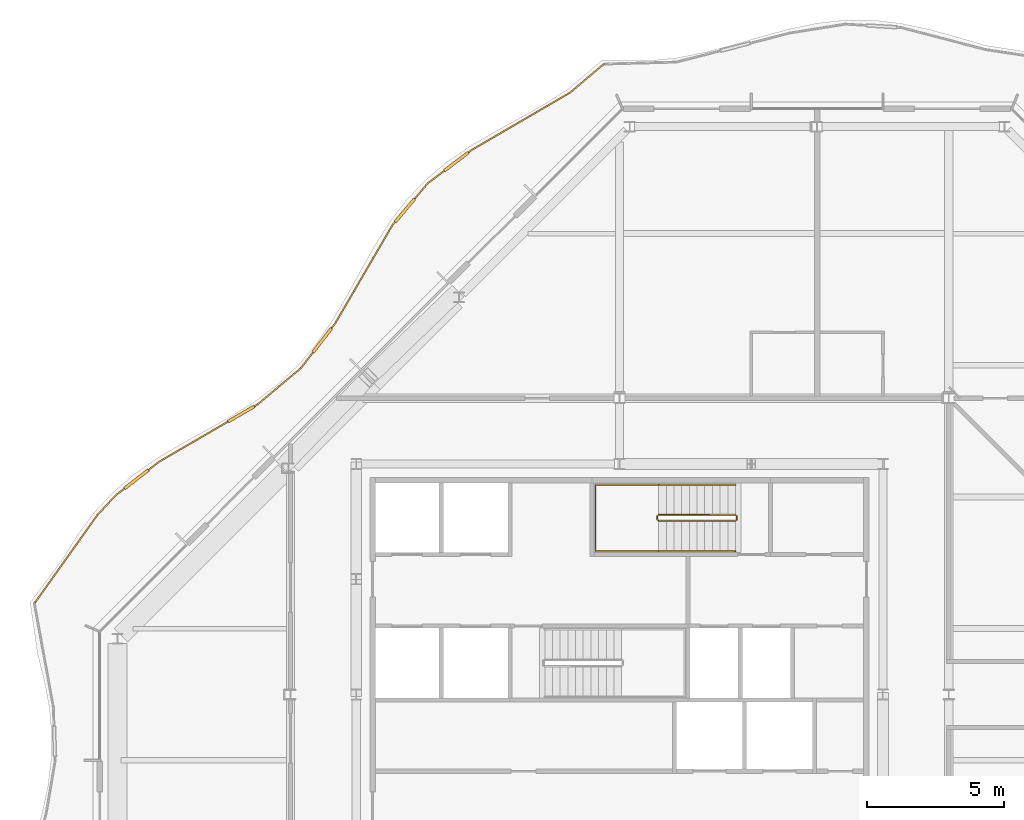
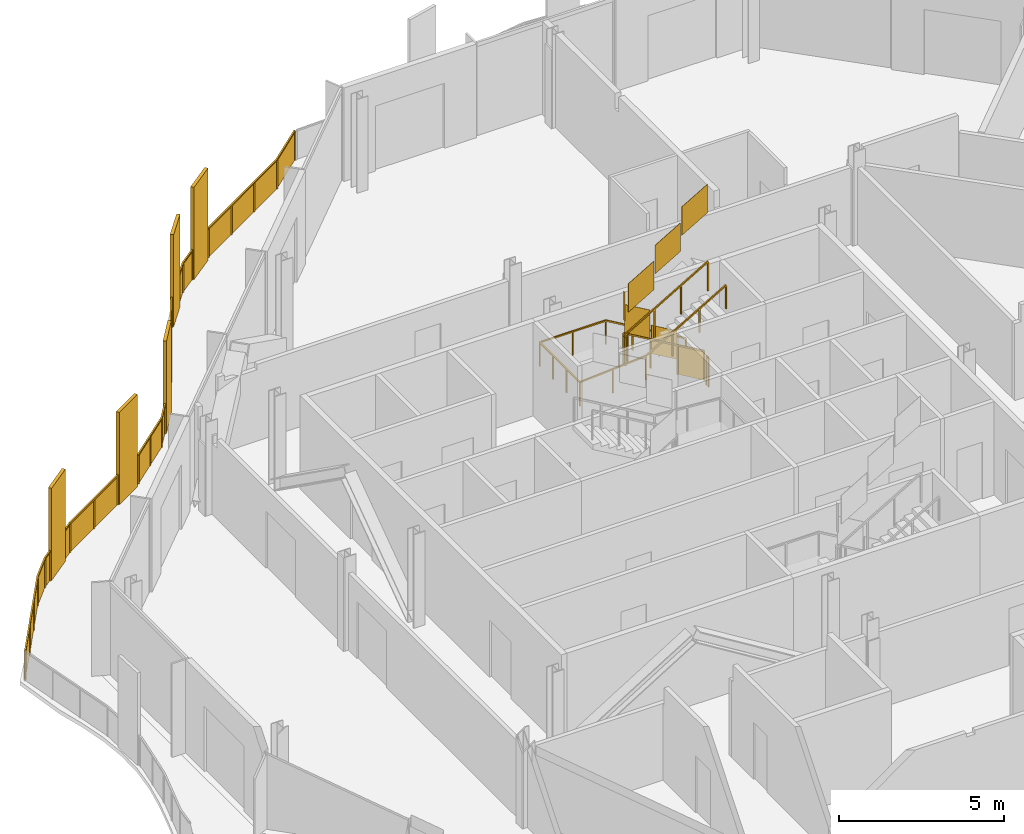
# One storey, part 16 of 17: 4 railings.
"""IFC4 building model written with IfcOpenShell, lengths in metres."""

from ifc_helpers import new_model, si_unit, direction, frame, origin, origin_2d, place, context, subcontext, project, spatial, polyline, rectangle, outline, extrude, material, type_object, element, save


model = new_model("IFC4")

# Units and contexts
model_context = context("Model", 3, precision=1e-05, world=origin(), true_north=direction((0.0, 1.0)))
body_context = subcontext(model_context, "Body", "Model", "MODEL_VIEW")
ifc_project = project(units=[si_unit("LENGTHUNIT", "METRE"), si_unit("AREAUNIT", "SQUARE_METRE"), si_unit("VOLUMEUNIT", "CUBIC_METRE"), si_unit("PLANEANGLEUNIT", "RADIAN"), si_unit("MASSUNIT", "GRAM", prefix="KILO")], contexts=[model_context])

# Site, building, storey
site_placement = place(None, origin())
site = spatial("IfcSite", under=ifc_project, at=site_placement, CompositionType="ELEMENT")
building_placement = place(site_placement, origin())
building = spatial("IfcBuilding", under=site, at=building_placement, Name="Cairn Pilgrim Tower", CompositionType="ELEMENT")
storey_placement = place(building_placement, frame((0.0, 0.0, 281.39990234375)))
storey = spatial("IfcBuildingStorey", under=building, at=storey_placement, Name="L72", CompositionType="ELEMENT", Elevation=281.39990234375)

# Railings
ifc_material_1 = material(Name="Bronze anodised aluminium rail, posts and fin screens with laminated glass infill", Category="aluminium")
railing_type_1 = type_object("IfcRailingType", Name="BALCONY GUARD WITH FIN SCREENS", PredefinedType="GUARDRAIL", material=ifc_material_1)
railing_1_placement = place(storey_placement, frame((6.623779296875, 25.380126953125, 0.0)))
element("IfcRailing", 1, at=railing_1_placement, inside=storey, type_object=railing_type_1, Name="Balcony guard BGF-6 with fin screens", PredefinedType="GUARDRAIL", context=body_context, shape_type="SweptSolid", body=[
    extrude(rectangle(XDim=0.050048828125, YDim=0.050048828125, at=origin_2d()), frame((0.0, 0.0, 1.0751953125), z_axis=(-0.762618286398, -0.646848783915, 0.0), x_axis=(0.646848783915, -0.762618286398, 0.0)), (0.0, 0.0, 1.0), 1.604736328125),
    extrude(rectangle(XDim=0.050048828125, YDim=0.050048828125, at=origin_2d()), frame((-1.223876953125, -1.0380859375, 1.0751953125), z_axis=(-0.863836312854, -0.503772592143, 0.0), x_axis=(0.503772592143, -0.863836312854, 0.0)), (0.0, 0.0, 1.0), 4.163818359375),
    extrude(rectangle(XDim=1.10009765625, YDim=0.110107421875, at=origin_2d()), frame((-5.3779296875, -3.559326171875, 0.0), z_axis=(0.0, 0.0, 1.0), x_axis=(-0.796080027647, -0.605191366083, 0.0)), (0.0, 0.0, 1.0), 3.39990234375),
    extrude(rectangle(XDim=0.050048828125, YDim=0.050048828125, at=origin_2d()), frame((-4.82080078125, -3.1357421875, 1.0751953125), z_axis=(-0.796080027647, -0.605191366083, 0.0), x_axis=(0.605191366083, -0.796080027647, 0.0)), (0.0, 0.0, 1.0), 0.14990234375),
    extrude(rectangle(XDim=0.050048828125, YDim=0.050048828125, at=origin_2d()), frame((-5.81591796875, -3.89208984375, 1.0751953125), z_axis=(-0.796080027647, -0.605191366083, 0.0), x_axis=(0.605191366083, -0.796080027647, 0.0)), (0.0, 0.0, 1.0), 0.75439453125),
    extrude(rectangle(XDim=1.10009765625, YDim=0.110107421875, at=origin_2d()), frame((-7.248779296875, -5.33251953125, 0.0), z_axis=(0.0, 0.0, 1.0), x_axis=(-0.645925733167, -0.763400253623, 0.0)), (0.0, 0.0, 1.0), 3.39990234375),
    extrude(rectangle(XDim=0.050048828125, YDim=0.050048828125, at=origin_2d()), frame((-6.416259765625, -4.3486328125, 1.0751953125), z_axis=(-0.645925733167, -0.763400253623, 0.0), x_axis=(0.763400253623, -0.645925733167, 0.0)), (0.0, 0.0, 1.0), 0.73876953125),
    extrude(rectangle(XDim=0.050048828125, YDim=0.050048828125, at=origin_2d()), frame((-7.60400390625, -5.752197265625, 1.0751953125), z_axis=(-0.645925733167, -0.763400253623, 0.0), x_axis=(0.763400253623, -0.645925733167, 0.0)), (0.0, 0.0, 1.0), 0.150146484375),
    extrude(rectangle(XDim=0.050048828125, YDim=0.050048828125, at=origin_2d()), frame((-7.700927734375, -5.866943359375, 1.0751953125), z_axis=(-0.50337061676, -0.864070611804, 0.0), x_axis=(0.864070611804, -0.50337061676, 0.0)), (0.0, 0.0, 1.0), 4.156494140625),
    extrude(rectangle(XDim=1.10009765625, YDim=0.110107421875, at=origin_2d()), frame((-10.262939453125, -10.070556640625, 0.0), z_axis=(0.0, 0.0, 1.0), x_axis=(-0.608728349799, -0.793378721766, 0.0)), (0.0, 0.0, 1.0), 3.39990234375),
    extrude(rectangle(XDim=0.050048828125, YDim=0.050048828125, at=origin_2d()), frame((-9.793212890625, -9.45849609375, 1.0751953125), z_axis=(-0.608728349799, -0.793378721766, 0.0), x_axis=(0.793378721766, -0.608728349799, 0.0)), (0.0, 0.0, 1.0), 0.221435546875),
    extrude(rectangle(XDim=0.050048828125, YDim=0.050048828125, at=origin_2d()), frame((-10.59765625, -10.5068359375, 1.0751953125), z_axis=(-0.608728349799, -0.793378721766, 0.0), x_axis=(0.793378721766, -0.608728349799, 0.0)), (0.0, 0.0, 1.0), 0.733154296875),
    extrude(rectangle(XDim=0.050048828125, YDim=0.050048828125, at=origin_2d()), frame((-11.0439453125, -11.088623046875, 1.0751953125), z_axis=(-0.766518895618, -0.642221755051, 0.0), x_axis=(0.642221755051, -0.766518895618, 0.0)), (0.0, 0.0, 1.0), 2.048583984375),
    extrude(rectangle(XDim=1.10009765625, YDim=0.110107421875, at=origin_2d()), frame((-13.218994140625, -12.75634765625, 0.0), z_axis=(0.0, 0.0, 1.0), x_axis=(-0.864242189334, -0.503075976543, 0.0)), (0.0, 0.0, 1.0), 3.39990234375),
    extrude(rectangle(XDim=0.050048828125, YDim=0.050048828125, at=origin_2d()), frame((-12.6142578125, -12.404296875, 1.0751953125), z_axis=(-0.864242189334, -0.503075976543, 0.0), x_axis=(0.503075976543, -0.864242189334, 0.0)), (0.0, 0.0, 1.0), 0.14990234375),
    extrude(rectangle(XDim=0.050048828125, YDim=0.050048828125, at=origin_2d()), frame((-13.6943359375, -13.032958984375, 1.0751953125), z_axis=(-0.864242189334, -0.503075976543, 0.0), x_axis=(0.503075976543, -0.864242189334, 0.0)), (0.0, 0.0, 1.0), 2.91357421875),
    extrude(rectangle(XDim=1.10009765625, YDim=0.110107421875, at=origin_2d()), frame((-17.034912109375, -15.1357421875, 0.0), z_axis=(0.0, 0.0, 1.0), x_axis=(-0.790641953267, -0.612278777792, 0.0)), (0.0, 0.0, 1.0), 3.39990234375),
    extrude(rectangle(XDim=0.050048828125, YDim=0.050048828125, at=origin_2d()), frame((-16.21240234375, -14.498779296875, 1.0751953125), z_axis=(-0.790641953267, -0.612278777792, 0.0), x_axis=(0.612278777792, -0.790641953267, 0.0)), (0.0, 0.0, 1.0), 0.490234375),
    extrude(rectangle(XDim=0.050048828125, YDim=0.050048828125, at=origin_2d()), frame((-17.4697265625, -15.472412109375, 1.0751953125), z_axis=(-0.790641953267, -0.612278777792, 0.0), x_axis=(0.612278777792, -0.790641953267, 0.0)), (0.0, 0.0, 1.0), 0.414794921875),
    extrude(rectangle(XDim=0.050048828125, YDim=0.050048828125, at=origin_2d()), frame((-17.7978515625, -15.7265625, 1.0751953125), z_axis=(-0.679165621885, -0.733985053015, 0.0), x_axis=(0.733985053015, -0.679165621885, 0.0)), (0.0, 0.0, 1.0), 0.984130859375),
    extrude(rectangle(XDim=0.050048828125, YDim=0.050048828125, at=origin_2d()), frame((-18.46630859375, -16.448974609375, 1.0751953125), z_axis=(-0.579907284582, -0.814682478816, 0.0), x_axis=(0.814682478816, -0.579907284582, 0.0)), (0.0, 0.0, 1.0), 3.88916015625),
    extrude(rectangle(XDim=0.050048828125, YDim=0.050048828125, at=origin_2d()), origin(), (0.0, 0.0, 1.0), 1.050048828125),
    extrude(rectangle(XDim=0.050048828125, YDim=0.050048828125, at=origin_2d()), frame((-1.223876953125, -1.0380859375, 0.0)), (0.0, 0.0, 1.0), 1.050048828125),
    extrude(rectangle(XDim=0.050048828125, YDim=0.050048828125, at=origin_2d()), frame((-2.4228515625, -1.7373046875, 0.0)), (0.0, 0.0, 1.0), 1.050048828125),
    extrude(rectangle(XDim=0.050048828125, YDim=0.050048828125, at=origin_2d()), frame((-3.621826171875, -2.4365234375, 0.0)), (0.0, 0.0, 1.0), 1.050048828125),
    extrude(rectangle(XDim=0.050048828125, YDim=0.050048828125, at=origin_2d()), frame((-4.82080078125, -3.1357421875, 0.0)), (0.0, 0.0, 1.0), 1.050048828125),
    extrude(rectangle(XDim=0.050048828125, YDim=0.050048828125, at=origin_2d()), frame((-4.920166015625, -3.211181640625, 0.0)), (0.0, 0.0, 1.0), 1.050048828125),
    extrude(rectangle(XDim=0.050048828125, YDim=0.050048828125, at=origin_2d()), frame((-5.835693359375, -3.9072265625, 0.0)), (0.0, 0.0, 1.0), 1.050048828125),
    extrude(rectangle(XDim=0.050048828125, YDim=0.050048828125, at=origin_2d()), frame((-6.416259765625, -4.3486328125, 0.0)), (0.0, 0.0, 1.0), 1.050048828125),
    extrude(rectangle(XDim=0.050048828125, YDim=0.050048828125, at=origin_2d()), frame((-6.877197265625, -4.8935546875, 0.0)), (0.0, 0.0, 1.0), 1.050048828125),
    extrude(rectangle(XDim=0.050048828125, YDim=0.050048828125, at=origin_2d()), frame((-7.6201171875, -5.771484375, 0.0)), (0.0, 0.0, 1.0), 1.050048828125),
    extrude(rectangle(XDim=0.050048828125, YDim=0.050048828125, at=origin_2d()), frame((-7.700927734375, -5.866943359375, 0.0)), (0.0, 0.0, 1.0), 1.050048828125),
    extrude(rectangle(XDim=0.050048828125, YDim=0.050048828125, at=origin_2d()), frame((-8.3984375, -7.064208984375, 0.0)), (0.0, 0.0, 1.0), 1.050048828125),
    extrude(rectangle(XDim=0.050048828125, YDim=0.050048828125, at=origin_2d()), frame((-9.095703125, -8.26123046875, 0.0)), (0.0, 0.0, 1.0), 1.050048828125),
    extrude(rectangle(XDim=0.050048828125, YDim=0.050048828125, at=origin_2d()), frame((-9.793212890625, -9.45849609375, 0.0)), (0.0, 0.0, 1.0), 1.050048828125),
    extrude(rectangle(XDim=0.050048828125, YDim=0.050048828125, at=origin_2d()), frame((-9.912841796875, -9.6142578125, 0.0)), (0.0, 0.0, 1.0), 1.050048828125),
    extrude(rectangle(XDim=0.050048828125, YDim=0.050048828125, at=origin_2d()), frame((-10.61279296875, -10.52685546875, 0.0)), (0.0, 0.0, 1.0), 1.050048828125),
    extrude(rectangle(XDim=0.050048828125, YDim=0.050048828125, at=origin_2d()), frame((-11.0439453125, -11.088623046875, 0.0)), (0.0, 0.0, 1.0), 1.050048828125),
    extrude(rectangle(XDim=0.050048828125, YDim=0.050048828125, at=origin_2d()), frame((-11.8291015625, -11.74658203125, 0.0)), (0.0, 0.0, 1.0), 1.050048828125),
    extrude(rectangle(XDim=0.050048828125, YDim=0.050048828125, at=origin_2d()), frame((-12.6142578125, -12.404296875, 0.0)), (0.0, 0.0, 1.0), 1.050048828125),
    extrude(rectangle(XDim=0.050048828125, YDim=0.050048828125, at=origin_2d()), frame((-12.72216796875, -12.467041015625, 0.0)), (0.0, 0.0, 1.0), 1.050048828125),
    extrude(rectangle(XDim=0.050048828125, YDim=0.050048828125, at=origin_2d()), frame((-13.716064453125, -13.045654296875, 0.0)), (0.0, 0.0, 1.0), 1.050048828125),
    extrude(rectangle(XDim=0.050048828125, YDim=0.050048828125, at=origin_2d()), frame((-14.964111328125, -13.772216796875, 0.0)), (0.0, 0.0, 1.0), 1.050048828125),
    extrude(rectangle(XDim=0.050048828125, YDim=0.050048828125, at=origin_2d()), frame((-16.21240234375, -14.498779296875, 0.0)), (0.0, 0.0, 1.0), 1.050048828125),
    extrude(rectangle(XDim=0.050048828125, YDim=0.050048828125, at=origin_2d()), frame((-16.580322265625, -14.78369140625, 0.0)), (0.0, 0.0, 1.0), 1.050048828125),
    extrude(rectangle(XDim=0.050048828125, YDim=0.050048828125, at=origin_2d()), frame((-17.489501953125, -15.48779296875, 0.0)), (0.0, 0.0, 1.0), 1.050048828125),
    extrude(rectangle(XDim=0.050048828125, YDim=0.050048828125, at=origin_2d()), frame((-17.7978515625, -15.7265625, 0.0)), (0.0, 0.0, 1.0), 1.050048828125),
    extrude(rectangle(XDim=0.050048828125, YDim=0.050048828125, at=origin_2d()), frame((-18.46630859375, -16.448974609375, 0.0)), (0.0, 0.0, 1.0), 1.050048828125),
    extrude(rectangle(XDim=0.050048828125, YDim=0.050048828125, at=origin_2d()), frame((-19.218017578125, -17.505126953125, 0.0)), (0.0, 0.0, 1.0), 1.050048828125),
    extrude(rectangle(XDim=0.050048828125, YDim=0.050048828125, at=origin_2d()), frame((-19.969970703125, -18.561279296875, 0.0)), (0.0, 0.0, 1.0), 1.050048828125),
    extrude(rectangle(XDim=0.050048828125, YDim=0.050048828125, at=origin_2d()), frame((-20.7216796875, -19.617431640625, 0.0)), (0.0, 0.0, 1.0), 1.050048828125),
    extrude(outline(polyline([(0.02490234375, 0.0), (1.579833984375, 0.0), (1.579833984375, 1.050048828125), (0.02490234375, 1.050048828125), (0.02490234375, 0.0)])), frame((0.00390625, -0.004638671875, 0.0), z_axis=(-0.646848783915, 0.762618286398, 0.0), x_axis=(-0.762618286398, -0.646848783915, 0.0)), (0.0, 0.0, 1.0), 0.011962890625),
    extrude(outline(polyline([(0.02490234375, 0.0), (1.363037109375, 0.0), (1.363037109375, 1.050048828125), (0.02490234375, 1.050048828125), (0.02490234375, 0.0)])), frame((-1.220947265625, -1.043212890625, 0.0), z_axis=(-0.503772592143, 0.863836312854, 0.0), x_axis=(-0.863836312854, -0.503772592143, 0.0)), (0.0, 0.0, 1.0), 0.011962890625),
    extrude(outline(polyline([(0.02490234375, 0.0), (1.363037109375, 0.0), (1.363037109375, 1.050048828125), (0.02490234375, 1.050048828125), (0.02490234375, 0.0)])), frame((-2.419921875, -1.742431640625, 0.0), z_axis=(-0.503772592143, 0.863836312854, 0.0), x_axis=(-0.863836312854, -0.503772592143, 0.0)), (0.0, 0.0, 1.0), 0.011962890625),
    extrude(outline(polyline([(0.02490234375, 0.0), (1.363037109375, 0.0), (1.363037109375, 1.050048828125), (0.02490234375, 1.050048828125), (0.02490234375, 0.0)])), frame((-3.618896484375, -2.441650390625, 0.0), z_axis=(-0.503772592143, 0.863836312854, 0.0), x_axis=(-0.863836312854, -0.503772592143, 0.0)), (0.0, 0.0, 1.0), 0.011962890625),
    extrude(outline(polyline([(0.02490234375, 0.0), (0.099853515625, 0.0), (0.099853515625, 1.050048828125), (0.02490234375, 1.050048828125), (0.02490234375, 0.0)])), frame((-4.817138671875, -3.140625, 0.0), z_axis=(-0.605191366083, 0.796080027647, 0.0), x_axis=(-0.796080027647, -0.605191366083, 0.0)), (0.0, 0.0, 1.0), 0.011962890625),
    extrude(outline(polyline([(0.02490234375, 0.0), (0.704345703125, 0.0), (0.704345703125, 1.050048828125), (0.02490234375, 1.050048828125), (0.02490234375, 0.0)])), frame((-5.83203125, -3.912109375, 0.0), z_axis=(-0.605191366083, 0.796080027647, 0.0), x_axis=(-0.796080027647, -0.605191366083, 0.0)), (0.0, 0.0, 1.0), 0.011962890625),
    extrude(outline(polyline([(0.02490234375, 0.0), (0.688720703125, 0.0), (0.688720703125, 1.050048828125), (0.02490234375, 1.050048828125), (0.02490234375, 0.0)])), frame((-6.41162109375, -4.3525390625, 0.0), z_axis=(-0.763400253623, 0.645925733167, 0.0), x_axis=(-0.645925733167, -0.763400253623, 0.0)), (0.0, 0.0, 1.0), 0.011962890625),
    extrude(outline(polyline([(0.02490234375, 0.0), (0.10009765625, 0.0), (0.10009765625, 1.050048828125), (0.02490234375, 1.050048828125), (0.02490234375, 0.0)])), frame((-7.615478515625, -5.775390625, 0.0), z_axis=(-0.763400253623, 0.645925733167, 0.0), x_axis=(-0.645925733167, -0.763400253623, 0.0)), (0.0, 0.0, 1.0), 0.011962890625),
    extrude(outline(polyline([(0.02490234375, 0.0), (1.360595703125, 0.0), (1.360595703125, 1.050048828125), (0.02490234375, 1.050048828125), (0.02490234375, 0.0)])), frame((-7.69580078125, -5.869873046875, 0.0), z_axis=(-0.864070611804, 0.50337061676, 0.0), x_axis=(-0.50337061676, -0.864070611804, 0.0)), (0.0, 0.0, 1.0), 0.011962890625),
    extrude(outline(polyline([(0.02490234375, 0.0), (1.360595703125, 0.0), (1.360595703125, 1.050048828125), (0.02490234375, 1.050048828125), (0.02490234375, 0.0)])), frame((-8.39306640625, -7.067138671875, 0.0), z_axis=(-0.864070611804, 0.50337061676, 0.0), x_axis=(-0.50337061676, -0.864070611804, 0.0)), (0.0, 0.0, 1.0), 0.011962890625),
    extrude(outline(polyline([(0.02490234375, 0.0), (1.360595703125, 0.0), (1.360595703125, 1.050048828125), (0.02490234375, 1.050048828125), (0.02490234375, 0.0)])), frame((-9.090576171875, -8.264404296875, 0.0), z_axis=(-0.864070611804, 0.50337061676, 0.0), x_axis=(-0.50337061676, -0.864070611804, 0.0)), (0.0, 0.0, 1.0), 0.011962890625),
    extrude(outline(polyline([(0.02490234375, 0.0), (0.17138671875, 0.0), (0.17138671875, 1.050048828125), (0.02490234375, 1.050048828125), (0.02490234375, 0.0)])), frame((-9.78857421875, -9.462158203125, 0.0), z_axis=(-0.793378721766, 0.608728349799, 0.0), x_axis=(-0.608728349799, -0.793378721766, 0.0)), (0.0, 0.0, 1.0), 0.011962890625),
    extrude(outline(polyline([(0.02490234375, 0.0), (0.68310546875, 0.0), (0.68310546875, 1.050048828125), (0.02490234375, 1.050048828125), (0.02490234375, 0.0)])), frame((-10.608154296875, -10.530517578125, 0.0), z_axis=(-0.793378721766, 0.608728349799, 0.0), x_axis=(-0.608728349799, -0.793378721766, 0.0)), (0.0, 0.0, 1.0), 0.011962890625),
    extrude(outline(polyline([(0.02490234375, 0.0), (0.999267578125, 0.0), (0.999267578125, 1.050048828125), (0.02490234375, 1.050048828125), (0.02490234375, 0.0)])), frame((-11.0400390625, -11.09326171875, 0.0), z_axis=(-0.642221755051, 0.766518895618, 0.0), x_axis=(-0.766518895618, -0.642221755051, 0.0)), (0.0, 0.0, 1.0), 0.011962890625),
    extrude(outline(polyline([(0.02490234375, 0.0), (0.999267578125, 0.0), (0.999267578125, 1.050048828125), (0.02490234375, 1.050048828125), (0.02490234375, 0.0)])), frame((-11.8251953125, -11.7509765625, 0.0), z_axis=(-0.642221755051, 0.766518895618, 0.0), x_axis=(-0.766518895618, -0.642221755051, 0.0)), (0.0, 0.0, 1.0), 0.011962890625),
    extrude(outline(polyline([(0.02490234375, 0.0), (0.099853515625, 0.0), (0.099853515625, 1.050048828125), (0.02490234375, 1.050048828125), (0.02490234375, 0.0)])), frame((-12.611328125, -12.409423828125, 0.0), z_axis=(-0.503075976543, 0.864242189334, 0.0), x_axis=(-0.864242189334, -0.503075976543, 0.0)), (0.0, 0.0, 1.0), 0.011962890625),
    extrude(outline(polyline([(0.02490234375, 0.0), (1.419189453125, 0.0), (1.419189453125, 1.050048828125), (0.02490234375, 1.050048828125), (0.02490234375, 0.0)])), frame((-13.712890625, -13.05078125, 0.0), z_axis=(-0.503075976543, 0.864242189334, 0.0), x_axis=(-0.864242189334, -0.503075976543, 0.0)), (0.0, 0.0, 1.0), 0.011962890625),
    extrude(outline(polyline([(0.02490234375, 0.0), (1.419189453125, 0.0), (1.419189453125, 1.050048828125), (0.02490234375, 1.050048828125), (0.02490234375, 0.0)])), frame((-14.961181640625, -13.77734375, 0.0), z_axis=(-0.503075976543, 0.864242189334, 0.0), x_axis=(-0.864242189334, -0.503075976543, 0.0)), (0.0, 0.0, 1.0), 0.011962890625),
    extrude(outline(polyline([(0.02490234375, 0.0), (0.440185546875, 0.0), (0.440185546875, 1.050048828125), (0.02490234375, 1.050048828125), (0.02490234375, 0.0)])), frame((-16.208740234375, -14.50341796875, 0.0), z_axis=(-0.612278777792, 0.790641953267, 0.0), x_axis=(-0.790641953267, -0.612278777792, 0.0)), (0.0, 0.0, 1.0), 0.011962890625),
    extrude(outline(polyline([(0.02490234375, 0.0), (0.36474609375, 0.0), (0.36474609375, 1.050048828125), (0.02490234375, 1.050048828125), (0.02490234375, 0.0)])), frame((-17.48583984375, -15.49267578125, 0.0), z_axis=(-0.612278777792, 0.790641953267, 0.0), x_axis=(-0.790641953267, -0.612278777792, 0.0)), (0.0, 0.0, 1.0), 0.011962890625),
    extrude(outline(polyline([(0.02490234375, 0.0), (0.959228515625, 0.0), (0.959228515625, 1.050048828125), (0.02490234375, 1.050048828125), (0.02490234375, 0.0)])), frame((-17.79345703125, -15.730712890625, 0.0), z_axis=(-0.733985053015, 0.679165621885, 0.0), x_axis=(-0.679165621885, -0.733985053015, 0.0)), (0.0, 0.0, 1.0), 0.011962890625),
    extrude(outline(polyline([(0.02490234375, 0.0), (1.271484375, 0.0), (1.271484375, 1.050048828125), (0.02490234375, 1.050048828125), (0.02490234375, 0.0)])), frame((-18.46142578125, -16.452392578125, 0.0), z_axis=(-0.814682478816, 0.579907284582, 0.0), x_axis=(-0.579907284582, -0.814682478816, 0.0)), (0.0, 0.0, 1.0), 0.011962890625),
    extrude(outline(polyline([(0.02490234375, 0.0), (1.271484375, 0.0), (1.271484375, 1.050048828125), (0.02490234375, 1.050048828125), (0.02490234375, 0.0)])), frame((-19.213134765625, -17.508544921875, 0.0), z_axis=(-0.814682478816, 0.579907284582, 0.0), x_axis=(-0.579907284582, -0.814682478816, 0.0)), (0.0, 0.0, 1.0), 0.011962890625),
    extrude(outline(polyline([(0.02490234375, 0.0), (1.271484375, 0.0), (1.271484375, 1.050048828125), (0.02490234375, 1.050048828125), (0.02490234375, 0.0)])), frame((-19.965087890625, -18.564697265625, 0.0), z_axis=(-0.814682478816, 0.579907284582, 0.0), x_axis=(-0.579907284582, -0.814682478816, 0.0)), (0.0, 0.0, 1.0), 0.011962890625),
])
ifc_material_2 = material(Name="Painted steel", Category="steel")
railing_type_2 = type_object("IfcRailingType", Name="STAIR GUARD 1100", PredefinedType="GUARDRAIL", material=ifc_material_2)
railing_2_placement = place(storey_placement, frame((11.425048828125, 8.949951171875, 0.163818359375)))
element("IfcRailing", 2, at=railing_2_placement, inside=storey, type_object=railing_type_2, Name="L72 ST-C stair guard 1", PredefinedType="GUARDRAIL", context=body_context, shape_type="SweptSolid", body=[
    extrude(rectangle(XDim=0.048095703125, YDim=0.048095703125, at=origin_2d()), frame((0.0, 0.0, 1.076171875), z_axis=(-0.863393664356, 0.0, 0.504530851732), x_axis=(0.0, -1.0, 0.0)), (0.0, 0.0, 1.0), 3.2431640625),
    extrude(rectangle(XDim=0.048095703125, YDim=0.048095703125, at=origin_2d()), frame((-2.800048828125, 0.0, 2.71240234375), z_axis=(-0.707106781187, -0.707106781187, 0.0), x_axis=(0.707106781187, -0.707106781187, 0.0)), (0.0, 0.0, 1.0), 0.07080078125),
    extrude(rectangle(XDim=0.048095703125, YDim=0.048095703125, at=origin_2d()), frame((-2.85009765625, -0.050048828125, 2.71240234375), z_axis=(0.0, -1.0, 0.0), x_axis=(1.0, 0.0, 0.0)), (0.0, 0.0, 1.0), 0.125),
    extrude(rectangle(XDim=0.048095703125, YDim=0.048095703125, at=origin_2d()), frame((-2.85009765625, -0.175048828125, 2.71240234375), z_axis=(0.280916556609, -0.279546231943, 0.91811752648), x_axis=(0.705375805398, 0.708833529934, 0.0)), (0.0, 0.0, 1.0), 0.17822265625),
    extrude(rectangle(XDim=0.048095703125, YDim=0.048095703125, at=origin_2d()), frame((-2.800048828125, -0.224853515625, 2.8759765625), z_axis=(0.863360870873, 0.0, 0.504586966384), x_axis=(0.0, 1.0, 0.0)), (0.0, 0.0, 1.0), 3.2431640625),
    extrude(rectangle(XDim=0.0419921875, YDim=0.0419921875, at=origin_2d()), origin(), (0.0, 0.0, 1.0), 1.052001953125),
    extrude(rectangle(XDim=0.0419921875, YDim=0.0419921875, at=origin_2d()), frame((-0.933349609375, 0.0, 0.54541015625)), (0.0, 0.0, 1.0), 1.052001953125),
    extrude(rectangle(XDim=0.0419921875, YDim=0.0419921875, at=origin_2d()), frame((-1.86669921875, 0.0, 1.0908203125)), (0.0, 0.0, 1.0), 1.052001953125),
    extrude(rectangle(XDim=0.0419921875, YDim=0.0419921875, at=origin_2d()), frame((-2.800048828125, 0.0, 1.63623046875)), (0.0, 0.0, 1.0), 1.052001953125),
    extrude(rectangle(XDim=0.0419921875, YDim=0.0419921875, at=origin_2d()), frame((-2.85009765625, -0.050048828125, 1.63623046875)), (0.0, 0.0, 1.0), 1.052001953125),
    extrude(rectangle(XDim=0.0419921875, YDim=0.0419921875, at=origin_2d()), frame((-2.85009765625, -0.175048828125, 1.63623046875)), (0.0, 0.0, 1.0), 1.052001953125),
    extrude(rectangle(XDim=0.0419921875, YDim=0.0419921875, at=origin_2d()), frame((-2.800048828125, -0.224853515625, 1.7998046875)), (0.0, 0.0, 1.0), 1.052001953125),
    extrude(rectangle(XDim=0.0419921875, YDim=0.0419921875, at=origin_2d()), frame((-1.86669921875, -0.224853515625, 2.34521484375)), (0.0, 0.0, 1.0), 1.052001953125),
    extrude(rectangle(XDim=0.0419921875, YDim=0.0419921875, at=origin_2d()), frame((-0.933349609375, -0.224853515625, 2.890869140625)), (0.0, 0.0, 1.0), 1.052001953125),
    extrude(rectangle(XDim=0.0419921875, YDim=0.0419921875, at=origin_2d()), frame((0.0, -0.224853515625, 3.436279296875)), (0.0, 0.0, 1.0), 1.052001953125),
    extrude(outline(polyline([(0.02099609375, 0.01220703125), (0.912353515625, 0.533203125), (0.912353515625, 1.585205078125), (0.02099609375, 1.064208984375), (0.02099609375, 0.01220703125)])), frame((0.0, -0.005859375, 0.0), z_axis=(0.0, 1.0, 0.0), x_axis=(-1.0, 0.0, 0.0)), (0.0, 0.0, 1.0), 0.011962890625),
    extrude(outline(polyline([(0.02099609375, 0.5576171875), (0.912353515625, 1.07861328125), (0.912353515625, 2.130615234375), (0.02099609375, 1.609619140625), (0.02099609375, 0.5576171875)])), frame((-0.933349609375, -0.005859375, 0.54541015625), z_axis=(0.0, 1.0, 0.0), x_axis=(-1.0, 0.0, 0.0)), (0.0, 0.0, 1.0), 0.011962890625),
    extrude(outline(polyline([(0.02099609375, 1.10302734375), (0.912353515625, 1.6240234375), (0.912353515625, 2.676025390625), (0.02099609375, 2.155029296875), (0.02099609375, 1.10302734375)])), frame((-1.86669921875, -0.005859375, 1.0908203125), z_axis=(0.0, 1.0, 0.0), x_axis=(-1.0, 0.0, 0.0)), (0.0, 0.0, 1.0), 0.011962890625),
    extrude(outline(polyline([(0.02099609375, 1.63623046875), (0.10400390625, 1.63623046875), (0.10400390625, 2.688232421875), (0.02099609375, 2.688232421875), (0.02099609375, 1.63623046875)])), frame((-2.84423828125, -0.050048828125, 1.63623046875), z_axis=(-1.0, 0.0, 0.0), x_axis=(0.0, -1.0, 0.0)), (0.0, 0.0, 1.0), 0.011962890625),
    extrude(outline(polyline([(0.02099609375, 1.81201171875), (0.912353515625, 2.3330078125), (0.912353515625, 3.385009765625), (0.02099609375, 2.864013671875), (0.02099609375, 1.81201171875)])), frame((-2.800048828125, -0.21875, 1.7998046875), z_axis=(0.0, -1.0, 0.0), x_axis=(1.0, 0.0, 0.0)), (0.0, 0.0, 1.0), 0.011962890625),
    extrude(outline(polyline([(0.02099609375, 2.357666015625), (0.912353515625, 2.87841796875), (0.912353515625, 3.930419921875), (0.02099609375, 3.40966796875), (0.02099609375, 2.357666015625)])), frame((-1.86669921875, -0.21875, 2.34521484375), z_axis=(0.0, -1.0, 0.0), x_axis=(1.0, 0.0, 0.0)), (0.0, 0.0, 1.0), 0.011962890625),
    extrude(outline(polyline([(0.02099609375, 2.903076171875), (0.912353515625, 3.424072265625), (0.912353515625, 4.47607421875), (0.02099609375, 3.955078125), (0.02099609375, 2.903076171875)])), frame((-0.933349609375, -0.21875, 2.890869140625), z_axis=(0.0, -1.0, 0.0), x_axis=(1.0, 0.0, 0.0)), (0.0, 0.0, 1.0), 0.011962890625),
])
railing_3_placement = place(storey_placement, frame((11.47509765625, 8.89990234375, 0.0)))
element("IfcRailing", 3, at=railing_3_placement, inside=storey, type_object=railing_type_2, Name="L72 ST-C stair guard 2", PredefinedType="GUARDRAIL", context=body_context, shape_type="SweptSolid", body=[
    extrude(rectangle(XDim=0.048095703125, YDim=0.048095703125, at=origin_2d()), frame((0.0, 0.0, 1.076171875), z_axis=(0.0, -1.0, 0.0), x_axis=(1.0, 0.0, 0.0)), (0.0, 0.0, 1.0), 0.125),
    extrude(rectangle(XDim=0.0419921875, YDim=0.0419921875, at=origin_2d()), origin(), (0.0, 0.0, 1.0), 1.052001953125),
    extrude(rectangle(XDim=0.0419921875, YDim=0.0419921875, at=origin_2d()), frame((0.0, -0.125, 0.0)), (0.0, 0.0, 1.0), 1.052001953125),
    extrude(outline(polyline([(0.02099609375, 0.0), (0.10400390625, 0.0), (0.10400390625, 1.052001953125), (0.02099609375, 1.052001953125), (0.02099609375, 0.0)])), frame((0.005859375, 0.0, 0.0), z_axis=(-1.0, 0.0, 0.0), x_axis=(0.0, -1.0, 0.0)), (0.0, 0.0, 1.0), 0.011962890625),
])
railing_type_3 = type_object("IfcRailingType", Name="STAIR HANDRAIL 900", PredefinedType="HANDRAIL", material=ifc_material_2)
railing_4_placement = place(storey_placement, frame((11.425048828125, 10.050048828125, 0.163818359375)))
element("IfcRailing", 4, at=railing_4_placement, inside=storey, type_object=railing_type_3, Name="L72 ST-C stair handrail 1", PredefinedType="HANDRAIL", context=body_context, shape_type="SweptSolid", body=[
    extrude(rectangle(XDim=0.048095703125, YDim=0.048095703125, at=origin_2d()), frame((0.0, 0.0, 0.8759765625), z_axis=(-0.863393664356, 0.0, 0.504530851732), x_axis=(0.0, -1.0, 0.0)), (0.0, 0.0, 1.0), 3.2431640625),
    extrude(rectangle(XDim=0.048095703125, YDim=0.048095703125, at=origin_2d()), frame((-2.800048828125, 0.0, 2.51220703125), z_axis=(-1.0, 0.0, 0.0), x_axis=(0.0, -1.0, 0.0)), (0.0, 0.0, 1.0), 2.300048828125),
    extrude(rectangle(XDim=0.048095703125, YDim=0.048095703125, at=origin_2d()), frame((-5.10009765625, 0.0, 2.51220703125), z_axis=(0.0, -1.0, 0.0), x_axis=(1.0, 0.0, 0.0)), (0.0, 0.0, 1.0), 2.425048828125),
    extrude(rectangle(XDim=0.048095703125, YDim=0.048095703125, at=origin_2d()), frame((-5.10009765625, -2.425048828125, 2.51220703125), z_axis=(0.997480687736, 0.0, 0.070938548008), x_axis=(0.0, 1.0, 0.0)), (0.0, 0.0, 1.0), 2.305908203125),
    extrude(rectangle(XDim=0.048095703125, YDim=0.048095703125, at=origin_2d()), frame((-2.800048828125, -2.425048828125, 2.67578125), z_axis=(0.863360870873, 0.0, 0.504586966384), x_axis=(0.0, 1.0, 0.0)), (0.0, 0.0, 1.0), 3.2431640625),
    extrude(rectangle(XDim=0.0419921875, YDim=0.0419921875, at=origin_2d()), origin(), (0.0, 0.0, 1.0), 0.851806640625),
    extrude(rectangle(XDim=0.0419921875, YDim=0.0419921875, at=origin_2d()), frame((-0.933349609375, 0.0, 0.54541015625)), (0.0, 0.0, 1.0), 0.851806640625),
    extrude(rectangle(XDim=0.0419921875, YDim=0.0419921875, at=origin_2d()), frame((-1.86669921875, 0.0, 1.0908203125)), (0.0, 0.0, 1.0), 0.851806640625),
    extrude(rectangle(XDim=0.0419921875, YDim=0.0419921875, at=origin_2d()), frame((-2.800048828125, 0.0, 1.63623046875)), (0.0, 0.0, 1.0), 0.851806640625),
    extrude(rectangle(XDim=0.0419921875, YDim=0.0419921875, at=origin_2d()), frame((-3.9501953125, 0.0, 1.63623046875)), (0.0, 0.0, 1.0), 0.851806640625),
    extrude(rectangle(XDim=0.0419921875, YDim=0.0419921875, at=origin_2d()), frame((-5.10009765625, 0.0, 1.63623046875)), (0.0, 0.0, 1.0), 0.851806640625),
    extrude(rectangle(XDim=0.0419921875, YDim=0.0419921875, at=origin_2d()), frame((-5.10009765625, -0.808349609375, 1.63623046875)), (0.0, 0.0, 1.0), 0.851806640625),
    extrude(rectangle(XDim=0.0419921875, YDim=0.0419921875, at=origin_2d()), frame((-5.10009765625, -1.61669921875, 1.63623046875)), (0.0, 0.0, 1.0), 0.851806640625),
    extrude(rectangle(XDim=0.0419921875, YDim=0.0419921875, at=origin_2d()), frame((-5.10009765625, -2.425048828125, 1.63623046875)), (0.0, 0.0, 1.0), 0.851806640625),
    extrude(rectangle(XDim=0.0419921875, YDim=0.0419921875, at=origin_2d()), frame((-3.9501953125, -2.425048828125, 1.718017578125)), (0.0, 0.0, 1.0), 0.851806640625),
    extrude(rectangle(XDim=0.0419921875, YDim=0.0419921875, at=origin_2d()), frame((-2.800048828125, -2.425048828125, 1.7998046875)), (0.0, 0.0, 1.0), 0.851806640625),
    extrude(rectangle(XDim=0.0419921875, YDim=0.0419921875, at=origin_2d()), frame((-1.86669921875, -2.425048828125, 2.34521484375)), (0.0, 0.0, 1.0), 0.851806640625),
    extrude(rectangle(XDim=0.0419921875, YDim=0.0419921875, at=origin_2d()), frame((-0.933349609375, -2.425048828125, 2.890869140625)), (0.0, 0.0, 1.0), 0.851806640625),
    extrude(rectangle(XDim=0.0419921875, YDim=0.0419921875, at=origin_2d()), frame((0.0, -2.425048828125, 3.436279296875)), (0.0, 0.0, 1.0), 0.851806640625),
])

save(model, "model.ifc")
